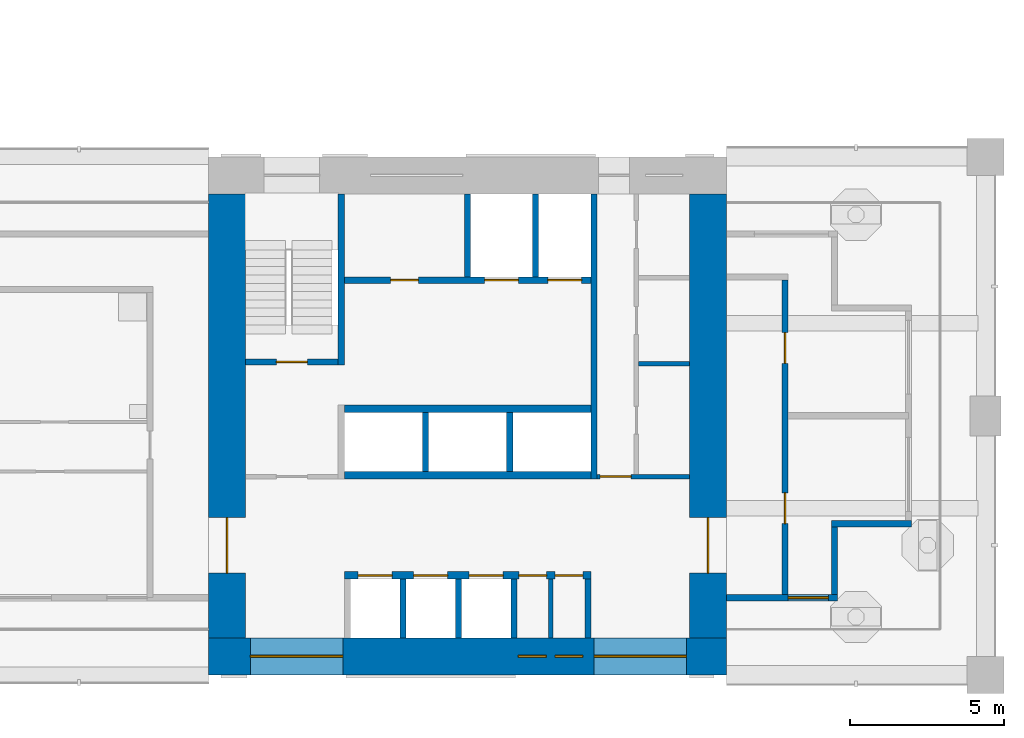
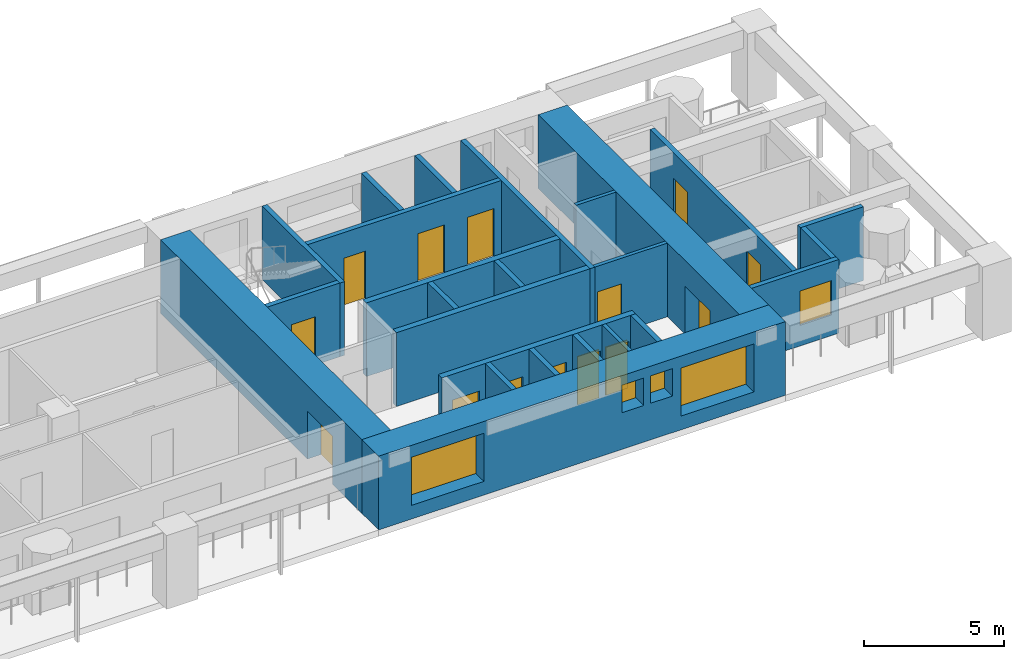
# One storey, part 5 of 18: 25 walls, 14 doors, 5 windows, 19 openings.
"""IFC4 building model written with IfcOpenShell, lengths in metres."""

from ifc_helpers import new_model, si_unit, direction, frame, frame_2d, origin, place, context, subcontext, project, spatial, rectangle, extrude, material, layer, layer_set, type_object, element, fill, save


model = new_model("IFC4")

# Units and contexts
model_context = context("Model", 3, precision=1e-05, world=origin(), true_north=direction((0.0, 1.0)))
body_context = subcontext(model_context, "Body", "Model", "MODEL_VIEW")
ifc_project = project(units=[si_unit("LENGTHUNIT", "METRE"), si_unit("AREAUNIT", "SQUARE_METRE"), si_unit("VOLUMEUNIT", "CUBIC_METRE"), si_unit("PLANEANGLEUNIT", "RADIAN"), si_unit("MASSUNIT", "GRAM", prefix="KILO")], contexts=[model_context])

# Site, building, storey
site_placement = place(None, origin())
site = spatial("IfcSite", under=ifc_project, at=site_placement, CompositionType="ELEMENT")
building_placement = place(site_placement, origin())
building = spatial("IfcBuilding", under=site, at=building_placement, Name="Vermilion Gate Residences", CompositionType="ELEMENT")
storey_placement = place(building_placement, frame((0.0, 0.0, 84.699951171875)))
storey = spatial("IfcBuildingStorey", under=building, at=storey_placement, Name="L20", CompositionType="ELEMENT", Elevation=84.699951171875)

# Wall
ifc_material_1 = material(Name="Masonry blockwork", Category="masonry")
ifc_layer_1 = layer(ifc_material_1, 0.14990234375)
ifc_layer_set_1 = layer_set([ifc_layer_1], Name="BLOCKWORK PARTITION 150 EI 120")
wall_type_1 = type_object("IfcWallType", Name="BLOCKWORK PARTITION 150 EI 120", PredefinedType="PARTITIONING", material=ifc_layer_set_1)
wall_1_placement = place(storey_placement, frame((53.10009765625, 9.60009765625, 0.0), z_axis=(0.0, 0.0, 1.0), x_axis=(0.0, 1.0, 0.0)))
element("IfcWall", 1, at=wall_1_placement, inside=storey, type_object=wall_type_1, Name="Core room partition A20-SR-P0", PredefinedType="PARTITIONING", context=body_context, shape_type="SweptSolid", body=[
    extrude(rectangle(XDim=1.89990234375, YDim=0.14990234375, at=frame_2d((0.949951171875, 0.0))), origin(), (0.0, 0.0, 1.0), 3.219970703125),
])

# Wall, opening, door
wall_2_placement = place(storey_placement, frame((54.60009765625, 14.824951171875, 0.0), z_axis=(0.0, 0.0, 1.0), x_axis=(1.0, 0.0, 0.0)))
wall_2 = element("IfcWall", 2, at=wall_2_placement, inside=storey, type_object=wall_type_1, Name="Core room partition A20-ES-S", PredefinedType="PARTITIONING", context=body_context, shape_type="SweptSolid", body=[
    extrude(rectangle(XDim=3.0, YDim=0.14990234375, at=frame_2d((1.5, 0.0))), origin(), (0.0, 0.0, 1.0), 3.219970703125),
])
opening_1_placement = place(wall_2_placement, frame((0.10009765625, 0.0, 0.0)))
opening_1 = element("IfcOpeningElement", 3, at=opening_1_placement, cuts=wall_2, Name="Opening DK20013", PredefinedType="OPENING", context=body_context, shape_type="SweptSolid", body=[
    extrude(rectangle(XDim=1.0, YDim=2.10009765625, at=frame_2d((0.5, 1.050048828125))), frame((0.0, 0.0849609375, 0.0), z_axis=(0.0, -1.0, 0.0), x_axis=(1.0, 0.0, 0.0)), (0.0, 0.0, 1.0), 0.169921875),
])
ifc_material_2 = material(Name="Steel", Category="steel")
door_type_1 = type_object("IfcDoorType", Name="FIRE DOOR FD60 1000 X 2100", OperationType="SINGLE_SWING_LEFT", PredefinedType="DOOR", material=ifc_material_2)
door_1_placement = place(opening_1_placement, frame((1.0, 0.0, 0.0), z_axis=(0.0, 0.0, 1.0), x_axis=(-1.0, 0.0, 0.0)))
door_1 = element("IfcDoor", 4, at=door_1_placement, inside=storey, type_object=door_type_1, Name="Service corridor door A20", OperationType="SINGLE_SWING_LEFT", OverallHeight=2.10009765625, OverallWidth=1.0, PredefinedType="DOOR", context=body_context, shape_type="SweptSolid", body=[
    extrude(rectangle(XDim=1.0, YDim=2.10009765625, at=frame_2d((0.5, 1.050048828125))), frame((0.0, 0.02490234375, 0.0), z_axis=(0.0, -1.0, 0.0), x_axis=(1.0, 0.0, 0.0)), (0.0, 0.0, 1.0), 0.050048828125),
])
fill(opening_1, door_1)

# Wall
wall_3_placement = place(storey_placement, frame((55.949951171875, 18.4951171875, 0.0), z_axis=(0.0, 0.0, 1.0), x_axis=(1.0, 0.0, 0.0)))
element("IfcWall", 5, at=wall_3_placement, inside=storey, type_object=wall_type_1, Name="Core room partition A20-ES-P0", PredefinedType="PARTITIONING", context=body_context, shape_type="SweptSolid", body=[
    extrude(rectangle(XDim=1.650146484375, YDim=0.14990234375, at=frame_2d((0.8251953125, 0.0))), origin(), (0.0, 0.0, 1.0), 3.219970703125),
])

# Wall, opening, window
ifc_material_3 = material(Name="Insulated steel stud wall with terracotta rainscreen", Category="masonry")
ifc_layer_2 = layer(ifc_material_3, 0.199951171875)
ifc_layer_set_2 = layer_set([ifc_layer_2], Name="EXTERNAL WALL 200 TERRACOTTA RAINSCREEN")
wall_type_2 = type_object("IfcWallType", Name="EXTERNAL WALL 200 TERRACOTTA RAINSCREEN", PredefinedType="SOLIDWALL", material=ifc_layer_set_2)
wall_4_placement = place(storey_placement, frame((58.800048828125, 10.89990234375, 0.0), z_axis=(0.0, 0.0, 1.0), x_axis=(1.0, 0.0, 0.0)))
wall_4 = element("IfcWall", 6, at=wall_4_placement, inside=storey, type_object=wall_type_2, Name="External wall", PredefinedType="SOLIDWALL", context=body_context, shape_type="SweptSolid", body=[
    extrude(rectangle(XDim=3.599853515625, YDim=0.199951171875, at=frame_2d((1.7998046875, 0.0))), origin(), (0.0, 0.0, 1.0), 3.219970703125),
])
opening_2_placement = place(wall_4_placement, frame((2.0, 0.0, 0.89990234375)))
opening_2 = element("IfcOpeningElement", 7, at=opening_2_placement, cuts=wall_4, Name="Opening WE20020", PredefinedType="OPENING", context=body_context, shape_type="SweptSolid", body=[
    extrude(rectangle(XDim=1.300048828125, YDim=1.5, at=frame_2d((0.64990234375, 0.75))), frame((0.0, 0.10986328125, 0.0), z_axis=(0.0, -1.0, 0.0), x_axis=(1.0, 0.0, 0.0)), (0.0, 0.0, 1.0), 0.219970703125),
])
ifc_material_4 = material(Name="Aluminium and clear glass", Category="aluminium")
window_type_1 = type_object("IfcWindowType", Name="WINDOW 1300 X 1500", PartitioningType="SINGLE_PANEL", PredefinedType="WINDOW", material=ifc_material_4)
window_1_placement = place(opening_2_placement, origin())
window_1 = element("IfcWindow", 8, at=window_1_placement, inside=storey, type_object=window_type_1, Name="Window", OverallHeight=1.5, OverallWidth=1.300048828125, PartitioningType="SINGLE_PANEL", PredefinedType="WINDOW", context=body_context, shape_type="SweptSolid", body=[
    extrude(rectangle(XDim=1.300048828125, YDim=1.5, at=frame_2d((0.64990234375, 0.75))), frame((0.0, 0.030029296875, 0.0), z_axis=(0.0, -1.0, 0.0), x_axis=(1.0, 0.0, 0.0)), (0.0, 0.0, 1.0), 0.06005859375),
])
fill(opening_2, window_1)

# Walls
wall_5_placement = place(storey_placement, frame((62.300048828125, 11.0, 0.0), z_axis=(0.0, 0.0, 1.0), x_axis=(0.0, 1.0, 0.0)))
element("IfcWall", 9, at=wall_5_placement, inside=storey, type_object=wall_type_2, Name="External wall", PredefinedType="SOLIDWALL", context=body_context, shape_type="SweptSolid", body=[
    extrude(rectangle(XDim=2.199951171875, YDim=0.199951171875, at=frame_2d((1.10009765625, 0.0))), origin(), (0.0, 0.0, 1.0), 3.219970703125),
])
wall_6_placement = place(storey_placement, frame((62.199951171875, 13.300048828125, 0.0), z_axis=(0.0, 0.0, 1.0), x_axis=(1.0, 0.0, 0.0)))
element("IfcWall", 10, at=wall_6_placement, inside=storey, type_object=wall_type_2, Name="External wall", PredefinedType="SOLIDWALL", context=body_context, shape_type="SweptSolid", body=[
    extrude(rectangle(XDim=2.60009765625, YDim=0.199951171875, at=frame_2d((1.300048828125, 0.0))), origin(), (0.0, 0.0, 1.0), 3.219970703125),
])

# Wall, openings, doors
ifc_material_5 = material(Name="Fire-rated plasterboard on steel studs", Category="steel")
ifc_layer_3 = layer(ifc_material_5, 0.199951171875)
ifc_layer_set_3 = layer_set([ifc_layer_3], Name="PARTY WALL 200 EI 120")
wall_type_3 = type_object("IfcWallType", Name="PARTY WALL 200 EI 120", PredefinedType="PARTITIONING", material=ifc_layer_set_3)
wall_7_placement = place(storey_placement, frame((60.699951171875, 10.89990234375, 0.0), z_axis=(0.0, 0.0, 1.0), x_axis=(0.0, 1.0, 0.0)))
wall_7 = element("IfcWall", 11, at=wall_7_placement, inside=storey, type_object=wall_type_3, Name="Party and corridor wall", PredefinedType="PARTITIONING", context=body_context, shape_type="SweptSolid", body=[
    extrude(rectangle(XDim=10.300048828125, YDim=0.199951171875, at=frame_2d((5.14990234375, 0.0))), origin(), (0.0, 0.0, 1.0), 3.219970703125),
])
opening_3_placement = place(wall_7_placement, frame((2.39990234375, 0.0, 0.0)))
opening_3 = element("IfcOpeningElement", 12, at=opening_3_placement, cuts=wall_7, Name="Opening DA19046", PredefinedType="OPENING", context=body_context, shape_type="SweptSolid", body=[
    extrude(rectangle(XDim=1.0, YDim=2.10009765625, at=frame_2d((0.5, 1.050048828125))), frame((0.0, 0.10986328125, 0.0), z_axis=(0.0, -1.0, 0.0), x_axis=(1.0, 0.0, 0.0)), (0.0, 0.0, 1.0), 0.219970703125),
])
opening_4_placement = place(wall_7_placement, frame((7.60009765625, 0.0, 0.0)))
opening_4 = element("IfcOpeningElement", 13, at=opening_4_placement, cuts=wall_7, Name="Opening DA19047", PredefinedType="OPENING", context=body_context, shape_type="SweptSolid", body=[
    extrude(rectangle(XDim=1.0, YDim=2.10009765625, at=frame_2d((0.5, 1.050048828125))), frame((0.0, 0.10986328125, 0.0), z_axis=(0.0, -1.0, 0.0), x_axis=(1.0, 0.0, 0.0)), (0.0, 0.0, 1.0), 0.219970703125),
])
ifc_material_6 = material(Name="Steel", Category="steel")
door_type_2 = type_object("IfcDoorType", Name="ENTRANCE DOOR 1000 X 2100 FD30", OperationType="SINGLE_SWING_LEFT", PredefinedType="DOOR", material=ifc_material_6)
door_2_placement = place(opening_3_placement, frame((1.0, 0.0, 0.0), z_axis=(0.0, 0.0, 1.0), x_axis=(-1.0, 0.0, 0.0)))
door_2 = element("IfcDoor", 14, at=door_2_placement, inside=storey, type_object=door_type_2, Name="Entrance door", OperationType="SINGLE_SWING_RIGHT", OverallHeight=2.10009765625, OverallWidth=1.0, PredefinedType="DOOR", context=body_context, shape_type="SweptSolid", body=[
    extrude(rectangle(XDim=1.0, YDim=2.10009765625, at=frame_2d((0.5, 1.050048828125))), frame((0.0, 0.02490234375, 0.0), z_axis=(0.0, -1.0, 0.0), x_axis=(1.0, 0.0, 0.0)), (0.0, 0.0, 1.0), 0.050048828125),
])
fill(opening_3, door_2)
door_3_placement = place(opening_4_placement, frame((1.0, 0.0, 0.0), z_axis=(0.0, 0.0, 1.0), x_axis=(-1.0, 0.0, 0.0)))
door_3 = element("IfcDoor", 15, at=door_3_placement, inside=storey, type_object=door_type_2, Name="Entrance door", OperationType="SINGLE_SWING_RIGHT", OverallHeight=2.10009765625, OverallWidth=1.0, PredefinedType="DOOR", context=body_context, shape_type="SweptSolid", body=[
    extrude(rectangle(XDim=1.0, YDim=2.10009765625, at=frame_2d((0.5, 1.050048828125))), frame((0.0, 0.02490234375, 0.0), z_axis=(0.0, -1.0, 0.0), x_axis=(1.0, 0.0, 0.0)), (0.0, 0.0, 1.0), 0.050048828125),
])
fill(opening_4, door_3)

# Walls
ifc_material_7 = material(Name="Concrete C60", Category="concrete")
ifc_layer_4 = layer(ifc_material_7, 0.199951171875)
ifc_layer_set_4 = layer_set([ifc_layer_4], Name="RC CORE INTERNAL WALL 200 C60")
wall_type_4 = type_object("IfcWallType", Name="RC CORE INTERNAL WALL 200 C60", PredefinedType="SHEAR", material=ifc_layer_set_4)
for number, where, z_axis, x_axis, name in (
    (16, (48.300048828125, 9.60009765625, 0.0), (0.0, 0.0, 1.0), (0.0, 1.0, 0.0), "Core internal wall A20-LR-D1"),
    (17, (50.10009765625, 9.60009765625, 0.0), (0.0, 0.0, 1.0), (0.0, 1.0, 0.0), "Core internal wall A20-LR-D2"),
    (18, (51.89990234375, 9.60009765625, 0.0), (0.0, 0.0, 1.0), (0.0, 1.0, 0.0), "Core internal wall A20-LR-D3"),
    (19, (54.300048828125, 9.60009765625, 0.0), (0.0, 0.0, 1.0), (0.0, 1.0, 0.0), "Core internal wall A20-LR-DE"),
    (20, (49.033447265625, 15.0, 0.0), (0.0, 0.0, 1.0), (0.0, 1.0, 0.0), "Core internal wall A20-HR-D1"),
    (21, (51.7666015625, 15.0, 0.0), (0.0, 0.0, 1.0), (0.0, 1.0, 0.0), "Core internal wall A20-HR-D2"),
):
    element("IfcWall", number, at=place(storey_placement, frame(where, z_axis=z_axis, x_axis=x_axis)), inside=storey, type_object=wall_type_4, Name=name, PredefinedType="SHEAR", context=body_context, shape_type="SweptSolid", body=[
        extrude(rectangle(XDim=1.89990234375, YDim=0.199951171875, at=frame_2d((0.949951171875, 0.0))), origin(), (0.0, 0.0, 1.0), 3.219970703125),
    ])
for number, where, z_axis, x_axis, name in (
    (22, (50.39990234375, 21.300048828125, 0.0), (0.0, 0.0, 1.0), (0.0, 1.0, 0.0), "Core internal wall A20-FF-D0"),
    (23, (52.60009765625, 21.300048828125, 0.0), (0.0, 0.0, 1.0), (0.0, 1.0, 0.0), "Core internal wall A20-FF-D1"),
):
    element("IfcWall", number, at=place(storey_placement, frame(where, z_axis=z_axis, x_axis=x_axis)), inside=storey, type_object=wall_type_4, Name=name, PredefinedType="SHEAR", context=body_context, shape_type="SweptSolid", body=[
        extrude(rectangle(XDim=2.699951171875, YDim=0.199951171875, at=frame_2d((1.35009765625, 0.0))), origin(), (0.0, 0.0, 1.0), 3.219970703125),
    ])

# Wall, openings, doors
wall_8_placement = place(storey_placement, frame((46.39990234375, 21.199951171875, 0.0), z_axis=(0.0, 0.0, 1.0), x_axis=(1.0, 0.0, 0.0)))
wall_8 = element("IfcWall", 24, at=wall_8_placement, inside=storey, type_object=wall_type_4, Name="Core internal wall A20-FF-F", PredefinedType="SHEAR", context=body_context, shape_type="SweptSolid", body=[
    extrude(rectangle(XDim=8.0, YDim=0.199951171875, at=frame_2d((4.0, 0.0))), origin(), (0.0, 0.0, 1.0), 3.219970703125),
])
opening_5_placement = place(wall_8_placement, frame((1.5, 0.0, 0.0)))
opening_5 = element("IfcOpeningElement", 25, at=opening_5_placement, cuts=wall_8, Name="Opening DK20008", PredefinedType="OPENING", context=body_context, shape_type="SweptSolid", body=[
    extrude(rectangle(XDim=0.89990234375, YDim=2.10009765625, at=frame_2d((0.449951171875, 1.050048828125))), frame((0.0, 0.10986328125, 0.0), z_axis=(0.0, -1.0, 0.0), x_axis=(1.0, 0.0, 0.0)), (0.0, 0.0, 1.0), 0.219970703125),
])
opening_6_placement = place(wall_8_placement, frame((4.550048828125, 0.0, 0.0)))
opening_6 = element("IfcOpeningElement", 26, at=opening_6_placement, cuts=wall_8, Name="Opening LD", PredefinedType="OPENING", context=body_context, shape_type="SweptSolid", body=[
    extrude(rectangle(XDim=1.10009765625, YDim=2.10009765625, at=frame_2d((0.550048828125, 1.050048828125))), frame((0.0, 0.10986328125, 0.0), z_axis=(0.0, -1.0, 0.0), x_axis=(1.0, 0.0, 0.0)), (0.0, 0.0, 1.0), 0.219970703125),
])
opening_7_placement = place(wall_8_placement, frame((6.60009765625, 0.0, 0.0)))
opening_7 = element("IfcOpeningElement", 27, at=opening_7_placement, cuts=wall_8, Name="Opening LD", PredefinedType="OPENING", context=body_context, shape_type="SweptSolid", body=[
    extrude(rectangle(XDim=1.10009765625, YDim=2.10009765625, at=frame_2d((0.550048828125, 1.050048828125))), frame((0.0, 0.10986328125, 0.0), z_axis=(0.0, -1.0, 0.0), x_axis=(1.0, 0.0, 0.0)), (0.0, 0.0, 1.0), 0.219970703125),
])
ifc_material_8 = material(Name="Stainless steel", Category="steel")
door_type_3 = type_object("IfcDoorType", Name="LIFT LANDING DOOR E60 1100 X 2100", OperationType="DOUBLE_DOOR_SLIDING", PredefinedType="DOOR", material=ifc_material_8)
door_4_placement = place(opening_6_placement, origin())
door_4 = element("IfcDoor", 28, at=door_4_placement, inside=storey, type_object=door_type_3, Name="Lift landing door LFA1", OperationType="DOUBLE_DOOR_SLIDING", OverallHeight=2.10009765625, OverallWidth=1.10009765625, PredefinedType="DOOR", context=body_context, shape_type="SweptSolid", body=[
    extrude(rectangle(XDim=1.10009765625, YDim=2.10009765625, at=frame_2d((0.550048828125, 1.050048828125))), frame((0.0, 0.02490234375, 0.0), z_axis=(0.0, -1.0, 0.0), x_axis=(1.0, 0.0, 0.0)), (0.0, 0.0, 1.0), 0.050048828125),
])
fill(opening_6, door_4)
door_5_placement = place(opening_7_placement, origin())
door_5 = element("IfcDoor", 29, at=door_5_placement, inside=storey, type_object=door_type_3, Name="Lift landing door LCA1", OperationType="DOUBLE_DOOR_SLIDING", OverallHeight=2.10009765625, OverallWidth=1.10009765625, PredefinedType="DOOR", context=body_context, shape_type="SweptSolid", body=[
    extrude(rectangle(XDim=1.10009765625, YDim=2.10009765625, at=frame_2d((0.550048828125, 1.050048828125))), frame((0.0, 0.02490234375, 0.0), z_axis=(0.0, -1.0, 0.0), x_axis=(1.0, 0.0, 0.0)), (0.0, 0.0, 1.0), 0.050048828125),
])
fill(opening_7, door_5)
ifc_material_9 = material(Name="Steel", Category="steel")
door_type_4 = type_object("IfcDoorType", Name="SERVICE ROOM DOOR FD60 900 X 2100", OperationType="SINGLE_SWING_LEFT", PredefinedType="DOOR", material=ifc_material_9)
door_6_placement = place(opening_5_placement, origin())
door_6 = element("IfcDoor", 30, at=door_6_placement, inside=storey, type_object=door_type_4, Name="Communications riser A20", OperationType="SINGLE_SWING_LEFT", OverallHeight=2.10009765625, OverallWidth=0.89990234375, PredefinedType="DOOR", context=body_context, shape_type="SweptSolid", body=[
    extrude(rectangle(XDim=0.89990234375, YDim=2.10009765625, at=frame_2d((0.449951171875, 1.050048828125))), frame((0.0, 0.02490234375, 0.0), z_axis=(0.0, -1.0, 0.0), x_axis=(1.0, 0.0, 0.0)), (0.0, 0.0, 1.0), 0.050048828125),
])
fill(opening_5, door_6)

# Wall
wall_9_placement = place(storey_placement, frame((46.300048828125, 18.449951171875, 0.0), z_axis=(0.0, 0.0, 1.0), x_axis=(0.0, 1.0, 0.0)))
element("IfcWall", 31, at=wall_9_placement, inside=storey, type_object=wall_type_4, Name="Core internal wall A20-WDIV2", PredefinedType="SHEAR", context=body_context, shape_type="SweptSolid", body=[
    extrude(rectangle(XDim=5.550048828125, YDim=0.199951171875, at=frame_2d((2.77490234375, 0.0))), origin(), (0.0, 0.0, 1.0), 3.219970703125),
])

# Wall, opening, door
wall_10_placement = place(storey_placement, frame((43.199951171875, 18.550048828125, 0.0), z_axis=(0.0, 0.0, 1.0), x_axis=(1.0, 0.0, 0.0)))
wall_10 = element("IfcWall", 32, at=wall_10_placement, inside=storey, type_object=wall_type_4, Name="Core internal wall A20-STW-S", PredefinedType="SHEAR", context=body_context, shape_type="SweptSolid", body=[
    extrude(rectangle(XDim=3.0, YDim=0.199951171875, at=frame_2d((1.5, 0.0))), origin(), (0.0, 0.0, 1.0), 3.219970703125),
])
opening_8_placement = place(wall_10_placement, frame((1.0, 0.0, 0.0)))
opening_8 = element("IfcOpeningElement", 33, at=opening_8_placement, cuts=wall_10, Name="Opening DK20012", PredefinedType="OPENING", context=body_context, shape_type="SweptSolid", body=[
    extrude(rectangle(XDim=1.0, YDim=2.10009765625, at=frame_2d((0.5, 1.050048828125))), frame((0.0, 0.10986328125, 0.0), z_axis=(0.0, -1.0, 0.0), x_axis=(1.0, 0.0, 0.0)), (0.0, 0.0, 1.0), 0.219970703125),
])
door_7_placement = place(opening_8_placement, origin())
door_7 = element("IfcDoor", 34, at=door_7_placement, inside=storey, type_object=door_type_1, Name="Stair door A20", OperationType="SINGLE_SWING_LEFT", OverallHeight=2.10009765625, OverallWidth=1.0, PredefinedType="DOOR", context=body_context, shape_type="SweptSolid", body=[
    extrude(rectangle(XDim=1.0, YDim=2.10009765625, at=frame_2d((0.5, 1.050048828125))), frame((0.0, 0.02490234375, 0.0), z_axis=(0.0, -1.0, 0.0), x_axis=(1.0, 0.0, 0.0)), (0.0, 0.0, 1.0), 0.050048828125),
])
fill(opening_8, door_7)

# Wall
wall_11_placement = place(storey_placement, frame((54.5, 14.75, 0.0), z_axis=(0.0, 0.0, 1.0), x_axis=(0.0, 1.0, 0.0)))
element("IfcWall", 35, at=wall_11_placement, inside=storey, type_object=wall_type_4, Name="Core internal wall A20-EDIV", PredefinedType="SHEAR", context=body_context, shape_type="SweptSolid", body=[
    extrude(rectangle(XDim=9.25, YDim=0.199951171875, at=frame_2d((4.625, 0.0))), origin(), (0.0, 0.0, 1.0), 3.219970703125),
])

# Wall, opening, door
ifc_material_10 = material(Name="Concrete C70", Category="concrete")
ifc_layer_5 = layer(ifc_material_10, 1.199951171875)
ifc_layer_set_5 = layer_set([ifc_layer_5], Name="RC CORE WALL 1200 C70")
wall_type_5 = type_object("IfcWallType", Name="RC CORE WALL 1200 C70", PredefinedType="SHEAR", material=ifc_layer_set_5)
wall_12_placement = place(storey_placement, frame((42.60009765625, 9.60009765625, 0.0), z_axis=(0.0, 0.0, 1.0), x_axis=(0.0, 1.0, 0.0)))
wall_12 = element("IfcWall", 36, at=wall_12_placement, inside=storey, type_object=wall_type_5, Name="Core wall A20-OUT-FR", PredefinedType="SHEAR", context=body_context, shape_type="SweptSolid", body=[
    extrude(rectangle(XDim=14.39990234375, YDim=1.199951171875, at=frame_2d((7.199951171875, 0.0))), origin(), (0.0, 0.0, 1.0), 3.219970703125),
])
opening_9_placement = place(wall_12_placement, frame((2.10009765625, 0.0, 0.0)))
opening_9 = element("IfcOpeningElement", 37, at=opening_9_placement, cuts=wall_12, Name="Opening DK20001", PredefinedType="OPENING", context=body_context, shape_type="SweptSolid", body=[
    extrude(rectangle(XDim=1.800048828125, YDim=2.10009765625, at=frame_2d((0.89990234375, 1.050048828125))), frame((0.0, 0.60986328125, 0.0), z_axis=(0.0, -1.0, 0.0), x_axis=(1.0, 0.0, 0.0)), (0.0, 0.0, 1.0), 1.219970703125),
])
ifc_material_11 = material(Name="Steel", Category="steel")
door_type_5 = type_object("IfcDoorType", Name="CORE LOBBY DOOR FD60 1800 X 2100", OperationType="DOUBLE_DOOR_SINGLE_SWING", PredefinedType="DOOR", material=ifc_material_11)
door_8_placement = place(opening_9_placement, frame((1.800048828125, 0.0, 0.0), z_axis=(0.0, 0.0, 1.0), x_axis=(-1.0, 0.0, 0.0)))
door_8 = element("IfcDoor", 38, at=door_8_placement, inside=storey, type_object=door_type_5, Name="Core lobby door A20", OperationType="DOUBLE_DOOR_SINGLE_SWING", OverallHeight=2.10009765625, OverallWidth=1.800048828125, PredefinedType="DOOR", context=body_context, shape_type="SweptSolid", body=[
    extrude(rectangle(XDim=1.800048828125, YDim=2.10009765625, at=frame_2d((0.89990234375, 1.050048828125))), frame((0.0, 0.02490234375, 0.0), z_axis=(0.0, -1.0, 0.0), x_axis=(1.0, 0.0, 0.0)), (0.0, 0.0, 1.0), 0.050048828125),
])
fill(opening_9, door_8)

wall_13_placement = place(storey_placement, frame((58.199951171875, 9.60009765625, 0.0), z_axis=(0.0, 0.0, 1.0), x_axis=(0.0, 1.0, 0.0)))
wall_13 = element("IfcWall", 39, at=wall_13_placement, inside=storey, type_object=wall_type_5, Name="Core wall A20-OUT-BK", PredefinedType="SHEAR", context=body_context, shape_type="SweptSolid", body=[
    extrude(rectangle(XDim=14.39990234375, YDim=1.199951171875, at=frame_2d((7.199951171875, 0.0))), origin(), (0.0, 0.0, 1.0), 3.219970703125),
])
opening_10_placement = place(wall_13_placement, frame((2.10009765625, 0.0, 0.0)))
opening_10 = element("IfcOpeningElement", 40, at=opening_10_placement, cuts=wall_13, Name="Opening DK20002", PredefinedType="OPENING", context=body_context, shape_type="SweptSolid", body=[
    extrude(rectangle(XDim=1.800048828125, YDim=2.10009765625, at=frame_2d((0.89990234375, 1.050048828125))), frame((0.0, 0.60986328125, 0.0), z_axis=(0.0, -1.0, 0.0), x_axis=(1.0, 0.0, 0.0)), (0.0, 0.0, 1.0), 1.219970703125),
])
door_9_placement = place(opening_10_placement, origin())
door_9 = element("IfcDoor", 41, at=door_9_placement, inside=storey, type_object=door_type_5, Name="Core lobby door A20", OperationType="DOUBLE_DOOR_SINGLE_SWING", OverallHeight=2.10009765625, OverallWidth=1.800048828125, PredefinedType="DOOR", context=body_context, shape_type="SweptSolid", body=[
    extrude(rectangle(XDim=1.800048828125, YDim=2.10009765625, at=frame_2d((0.89990234375, 1.050048828125))), frame((0.0, 0.02490234375, 0.0), z_axis=(0.0, -1.0, 0.0), x_axis=(1.0, 0.0, 0.0)), (0.0, 0.0, 1.0), 0.050048828125),
])
fill(opening_10, door_9)

# Wall, openings, windows
ifc_material_12 = material(Name="Concrete C70 red-oxide pigmented", Category="concrete")
ifc_layer_6 = layer(ifc_material_12, 1.199951171875)
ifc_layer_set_6 = layer_set([ifc_layer_6], Name="RC CORE WALL 1200 C70 RED OXIDE")
wall_type_6 = type_object("IfcWallType", Name="RC CORE WALL 1200 C70 RED OXIDE", PredefinedType="SHEAR", material=ifc_layer_set_6)
wall_14_placement = place(storey_placement, frame((42.0, 9.0, 0.0), z_axis=(0.0, 0.0, 1.0), x_axis=(1.0, 0.0, 0.0)))
wall_14 = element("IfcWall", 42, at=wall_14_placement, inside=storey, type_object=wall_type_6, Name="Core wall A20-OUT-B0", PredefinedType="SHEAR", context=body_context, shape_type="SweptSolid", body=[
    extrude(rectangle(XDim=16.800048828125, YDim=1.199951171875, at=frame_2d((8.39990234375, 0.0))), origin(), (0.0, 0.0, 1.0), 3.219970703125),
])
opening_11_placement = place(wall_14_placement, frame((1.35009765625, 0.0, 0.60009765625)))
opening_11 = element("IfcOpeningElement", 43, at=opening_11_placement, cuts=wall_14, Name="Opening WKA2001", PredefinedType="OPENING", context=body_context, shape_type="SweptSolid", body=[
    extrude(rectangle(XDim=3.0, YDim=2.10009765625, at=frame_2d((1.5, 1.050048828125))), frame((0.0, 0.60986328125, 0.0), z_axis=(0.0, -1.0, 0.0), x_axis=(1.0, 0.0, 0.0)), (0.0, 0.0, 1.0), 1.219970703125),
])
opening_12_placement = place(wall_14_placement, frame((10.050048828125, 0.0, 1.60009765625)))
opening_12 = element("IfcOpeningElement", 44, at=opening_12_placement, cuts=wall_14, Name="Opening WKA2002", PredefinedType="OPENING", context=body_context, shape_type="SweptSolid", body=[
    extrude(rectangle(XDim=0.89990234375, YDim=1.199951171875, at=frame_2d((0.449951171875, 0.60009765625))), frame((0.0, 0.60986328125, 0.0), z_axis=(0.0, -1.0, 0.0), x_axis=(1.0, 0.0, 0.0)), (0.0, 0.0, 1.0), 1.219970703125),
])
opening_13_placement = place(wall_14_placement, frame((11.237548828125, 0.0, 1.60009765625)))
opening_13 = element("IfcOpeningElement", 45, at=opening_13_placement, cuts=wall_14, Name="Opening WKA2003", PredefinedType="OPENING", context=body_context, shape_type="SweptSolid", body=[
    extrude(rectangle(XDim=0.89990234375, YDim=1.199951171875, at=frame_2d((0.449951171875, 0.60009765625))), frame((0.0, 0.60986328125, 0.0), z_axis=(0.0, -1.0, 0.0), x_axis=(1.0, 0.0, 0.0)), (0.0, 0.0, 1.0), 1.219970703125),
])
opening_14_placement = place(wall_14_placement, frame((12.5, 0.0, 0.60009765625)))
opening_14 = element("IfcOpeningElement", 46, at=opening_14_placement, cuts=wall_14, Name="Opening WKA2004", PredefinedType="OPENING", context=body_context, shape_type="SweptSolid", body=[
    extrude(rectangle(XDim=3.0, YDim=2.10009765625, at=frame_2d((1.5, 1.050048828125))), frame((0.0, 0.60986328125, 0.0), z_axis=(0.0, -1.0, 0.0), x_axis=(1.0, 0.0, 0.0)), (0.0, 0.0, 1.0), 1.219970703125),
])
ifc_material_13 = material(Name="Aluminium and clear glass", Category="aluminium")
window_type_2 = type_object("IfcWindowType", Name="CORE LOBBY WINDOW 3000 X 2100", PartitioningType="SINGLE_PANEL", PredefinedType="WINDOW", material=ifc_material_13)
window_2_placement = place(opening_11_placement, origin())
window_2 = element("IfcWindow", 47, at=window_2_placement, inside=storey, type_object=window_type_2, Name="Core lobby window", OverallHeight=2.10009765625, OverallWidth=3.0, PartitioningType="SINGLE_PANEL", PredefinedType="WINDOW", context=body_context, shape_type="SweptSolid", body=[
    extrude(rectangle(XDim=3.0, YDim=2.10009765625, at=frame_2d((1.5, 1.050048828125))), frame((0.0, 0.030029296875, 0.0), z_axis=(0.0, -1.0, 0.0), x_axis=(1.0, 0.0, 0.0)), (0.0, 0.0, 1.0), 0.06005859375),
])
fill(opening_11, window_2)
window_3_placement = place(opening_14_placement, origin())
window_3 = element("IfcWindow", 48, at=window_3_placement, inside=storey, type_object=window_type_2, Name="Core lobby window", OverallHeight=2.10009765625, OverallWidth=3.0, PartitioningType="SINGLE_PANEL", PredefinedType="WINDOW", context=body_context, shape_type="SweptSolid", body=[
    extrude(rectangle(XDim=3.0, YDim=2.10009765625, at=frame_2d((1.5, 1.050048828125))), frame((0.0, 0.030029296875, 0.0), z_axis=(0.0, -1.0, 0.0), x_axis=(1.0, 0.0, 0.0)), (0.0, 0.0, 1.0), 0.06005859375),
])
fill(opening_14, window_3)
ifc_material_14 = material(Name="Aluminium frame with louvre blades", Category="aluminium")
window_type_3 = type_object("IfcWindowType", Name="CORE LOUVRE 900 X 1200", PartitioningType="SINGLE_PANEL", PredefinedType="WINDOW", material=ifc_material_14)
window_4_placement = place(opening_12_placement, origin())
window_4 = element("IfcWindow", 49, at=window_4_placement, inside=storey, type_object=window_type_3, Name="Core louvre", OverallHeight=1.199951171875, OverallWidth=0.89990234375, PartitioningType="SINGLE_PANEL", PredefinedType="WINDOW", context=body_context, shape_type="SweptSolid", body=[
    extrude(rectangle(XDim=0.89990234375, YDim=1.199951171875, at=frame_2d((0.449951171875, 0.60009765625))), frame((0.0, 0.030029296875, 0.0), z_axis=(0.0, -1.0, 0.0), x_axis=(1.0, 0.0, 0.0)), (0.0, 0.0, 1.0), 0.06005859375),
])
fill(opening_12, window_4)
window_5_placement = place(opening_13_placement, origin())
window_5 = element("IfcWindow", 50, at=window_5_placement, inside=storey, type_object=window_type_3, Name="Core louvre", OverallHeight=1.199951171875, OverallWidth=0.89990234375, PartitioningType="SINGLE_PANEL", PredefinedType="WINDOW", context=body_context, shape_type="SweptSolid", body=[
    extrude(rectangle(XDim=0.89990234375, YDim=1.199951171875, at=frame_2d((0.449951171875, 0.60009765625))), frame((0.0, 0.030029296875, 0.0), z_axis=(0.0, -1.0, 0.0), x_axis=(1.0, 0.0, 0.0)), (0.0, 0.0, 1.0), 0.06005859375),
])
fill(opening_13, window_5)

# Wall, openings, doors
ifc_material_15 = material(Name="Concrete C60", Category="concrete")
ifc_layer_7 = layer(ifc_material_15, 0.25)
ifc_layer_set_7 = layer_set([ifc_layer_7], Name="RC LIFT SHAFT WALL 250 C60")
wall_type_7 = type_object("IfcWallType", Name="RC LIFT SHAFT WALL 250 C60", PredefinedType="SHEAR", material=ifc_layer_set_7)
wall_15_placement = place(storey_placement, frame((46.39990234375, 11.625, 0.0), z_axis=(0.0, 0.0, 1.0), x_axis=(1.0, 0.0, 0.0)))
wall_15 = element("IfcWall", 51, at=wall_15_placement, inside=storey, type_object=wall_type_7, Name="Lift shaft wall A20-LR-F", PredefinedType="SHEAR", context=body_context, shape_type="SweptSolid", body=[
    extrude(rectangle(XDim=8.0, YDim=0.25, at=frame_2d((4.0, 0.0))), origin(), (0.0, 0.0, 1.0), 3.219970703125),
])
opening_15_placement = place(wall_15_placement, frame((0.449951171875, 0.0, 0.0)))
opening_15 = element("IfcOpeningElement", 52, at=opening_15_placement, cuts=wall_15, Name="Opening LD", PredefinedType="OPENING", context=body_context, shape_type="SweptSolid", body=[
    extrude(rectangle(XDim=1.10009765625, YDim=2.10009765625, at=frame_2d((0.550048828125, 1.050048828125))), frame((0.0, 0.135009765625, 0.0), z_axis=(0.0, -1.0, 0.0), x_axis=(1.0, 0.0, 0.0)), (0.0, 0.0, 1.0), 0.27001953125),
])
opening_16_placement = place(wall_15_placement, frame((2.25, 0.0, 0.0)))
opening_16 = element("IfcOpeningElement", 53, at=opening_16_placement, cuts=wall_15, Name="Opening LD", PredefinedType="OPENING", context=body_context, shape_type="SweptSolid", body=[
    extrude(rectangle(XDim=1.10009765625, YDim=2.10009765625, at=frame_2d((0.550048828125, 1.050048828125))), frame((0.0, 0.135009765625, 0.0), z_axis=(0.0, -1.0, 0.0), x_axis=(1.0, 0.0, 0.0)), (0.0, 0.0, 1.0), 0.27001953125),
])
opening_17_placement = place(wall_15_placement, frame((4.050048828125, 0.0, 0.0)))
opening_17 = element("IfcOpeningElement", 54, at=opening_17_placement, cuts=wall_15, Name="Opening LD", PredefinedType="OPENING", context=body_context, shape_type="SweptSolid", body=[
    extrude(rectangle(XDim=1.10009765625, YDim=2.10009765625, at=frame_2d((0.550048828125, 1.050048828125))), frame((0.0, 0.135009765625, 0.0), z_axis=(0.0, -1.0, 0.0), x_axis=(1.0, 0.0, 0.0)), (0.0, 0.0, 1.0), 0.27001953125),
])
opening_18_placement = place(wall_15_placement, frame((5.66259765625, 0.0, 0.0)))
opening_18 = element("IfcOpeningElement", 55, at=opening_18_placement, cuts=wall_15, Name="Opening DK20006", PredefinedType="OPENING", context=body_context, shape_type="SweptSolid", body=[
    extrude(rectangle(XDim=0.89990234375, YDim=2.10009765625, at=frame_2d((0.449951171875, 1.050048828125))), frame((0.0, 0.135009765625, 0.0), z_axis=(0.0, -1.0, 0.0), x_axis=(1.0, 0.0, 0.0)), (0.0, 0.0, 1.0), 0.27001953125),
])
opening_19_placement = place(wall_15_placement, frame((6.83740234375, 0.0, 0.0)))
opening_19 = element("IfcOpeningElement", 56, at=opening_19_placement, cuts=wall_15, Name="Opening DK20007", PredefinedType="OPENING", context=body_context, shape_type="SweptSolid", body=[
    extrude(rectangle(XDim=0.89990234375, YDim=2.10009765625, at=frame_2d((0.449951171875, 1.050048828125))), frame((0.0, 0.135009765625, 0.0), z_axis=(0.0, -1.0, 0.0), x_axis=(1.0, 0.0, 0.0)), (0.0, 0.0, 1.0), 0.27001953125),
])
door_10_placement = place(opening_15_placement, origin())
door_10 = element("IfcDoor", 57, at=door_10_placement, inside=storey, type_object=door_type_3, Name="Lift landing door LRA1", OperationType="DOUBLE_DOOR_SLIDING", OverallHeight=2.10009765625, OverallWidth=1.10009765625, PredefinedType="DOOR", context=body_context, shape_type="SweptSolid", body=[
    extrude(rectangle(XDim=1.10009765625, YDim=2.10009765625, at=frame_2d((0.550048828125, 1.050048828125))), frame((0.0, 0.02490234375, 0.0), z_axis=(0.0, -1.0, 0.0), x_axis=(1.0, 0.0, 0.0)), (0.0, 0.0, 1.0), 0.050048828125),
])
fill(opening_15, door_10)
door_11_placement = place(opening_16_placement, origin())
door_11 = element("IfcDoor", 58, at=door_11_placement, inside=storey, type_object=door_type_3, Name="Lift landing door LRA2", OperationType="DOUBLE_DOOR_SLIDING", OverallHeight=2.10009765625, OverallWidth=1.10009765625, PredefinedType="DOOR", context=body_context, shape_type="SweptSolid", body=[
    extrude(rectangle(XDim=1.10009765625, YDim=2.10009765625, at=frame_2d((0.550048828125, 1.050048828125))), frame((0.0, 0.02490234375, 0.0), z_axis=(0.0, -1.0, 0.0), x_axis=(1.0, 0.0, 0.0)), (0.0, 0.0, 1.0), 0.050048828125),
])
fill(opening_16, door_11)
door_12_placement = place(opening_17_placement, origin())
door_12 = element("IfcDoor", 59, at=door_12_placement, inside=storey, type_object=door_type_3, Name="Lift landing door LRA3", OperationType="DOUBLE_DOOR_SLIDING", OverallHeight=2.10009765625, OverallWidth=1.10009765625, PredefinedType="DOOR", context=body_context, shape_type="SweptSolid", body=[
    extrude(rectangle(XDim=1.10009765625, YDim=2.10009765625, at=frame_2d((0.550048828125, 1.050048828125))), frame((0.0, 0.02490234375, 0.0), z_axis=(0.0, -1.0, 0.0), x_axis=(1.0, 0.0, 0.0)), (0.0, 0.0, 1.0), 0.050048828125),
])
fill(opening_17, door_12)
door_13_placement = place(opening_18_placement, frame((0.89990234375, 0.0, 0.0), z_axis=(0.0, 0.0, 1.0), x_axis=(-1.0, 0.0, 0.0)))
door_13 = element("IfcDoor", 60, at=door_13_placement, inside=storey, type_object=door_type_4, Name="Mail room A20", OperationType="SINGLE_SWING_RIGHT", OverallHeight=2.10009765625, OverallWidth=0.89990234375, PredefinedType="DOOR", context=body_context, shape_type="SweptSolid", body=[
    extrude(rectangle(XDim=0.89990234375, YDim=2.10009765625, at=frame_2d((0.449951171875, 1.050048828125))), frame((0.0, 0.02490234375, 0.0), z_axis=(0.0, -1.0, 0.0), x_axis=(1.0, 0.0, 0.0)), (0.0, 0.0, 1.0), 0.050048828125),
])
fill(opening_18, door_13)
door_14_placement = place(opening_19_placement, frame((0.89990234375, 0.0, 0.0), z_axis=(0.0, 0.0, 1.0), x_axis=(-1.0, 0.0, 0.0)))
door_14 = element("IfcDoor", 61, at=door_14_placement, inside=storey, type_object=door_type_4, Name="Cleaner's store A20", OperationType="SINGLE_SWING_RIGHT", OverallHeight=2.10009765625, OverallWidth=0.89990234375, PredefinedType="DOOR", context=body_context, shape_type="SweptSolid", body=[
    extrude(rectangle(XDim=0.89990234375, YDim=2.10009765625, at=frame_2d((0.449951171875, 1.050048828125))), frame((0.0, 0.02490234375, 0.0), z_axis=(0.0, -1.0, 0.0), x_axis=(1.0, 0.0, 0.0)), (0.0, 0.0, 1.0), 0.050048828125),
])
fill(opening_19, door_14)

# Walls
for number, where, z_axis, x_axis, name in (
    (62, (46.39990234375, 14.875, 0.0), (0.0, 0.0, 1.0), (1.0, 0.0, 0.0), "Lift shaft wall A20-HR-F"),
    (63, (46.39990234375, 17.02490234375, 0.0), (0.0, 0.0, 1.0), (1.0, 0.0, 0.0), "Lift shaft wall A20-HR-B"),
):
    element("IfcWall", number, at=place(storey_placement, frame(where, z_axis=z_axis, x_axis=x_axis)), inside=storey, type_object=wall_type_7, Name=name, PredefinedType="SHEAR", context=body_context, shape_type="SweptSolid", body=[
        extrude(rectangle(XDim=8.0, YDim=0.25, at=frame_2d((4.0, 0.0))), origin(), (0.0, 0.0, 1.0), 3.219970703125),
    ])

save(model, "model.ifc")
